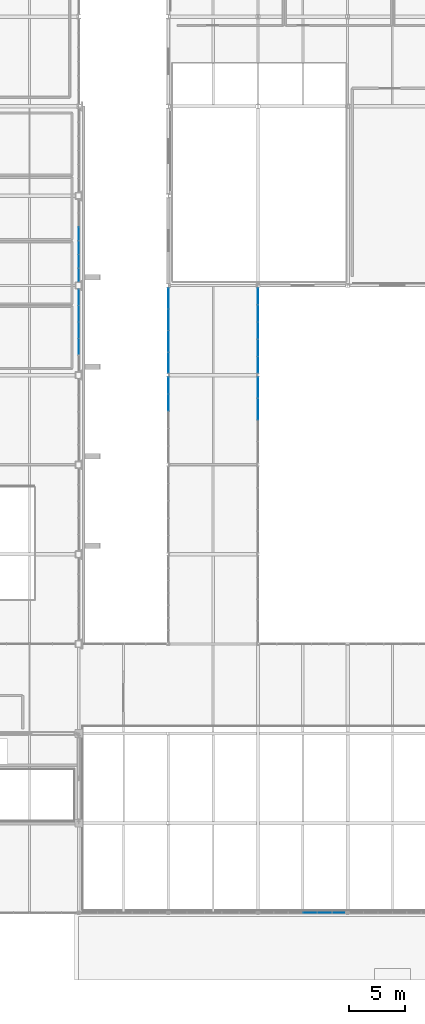
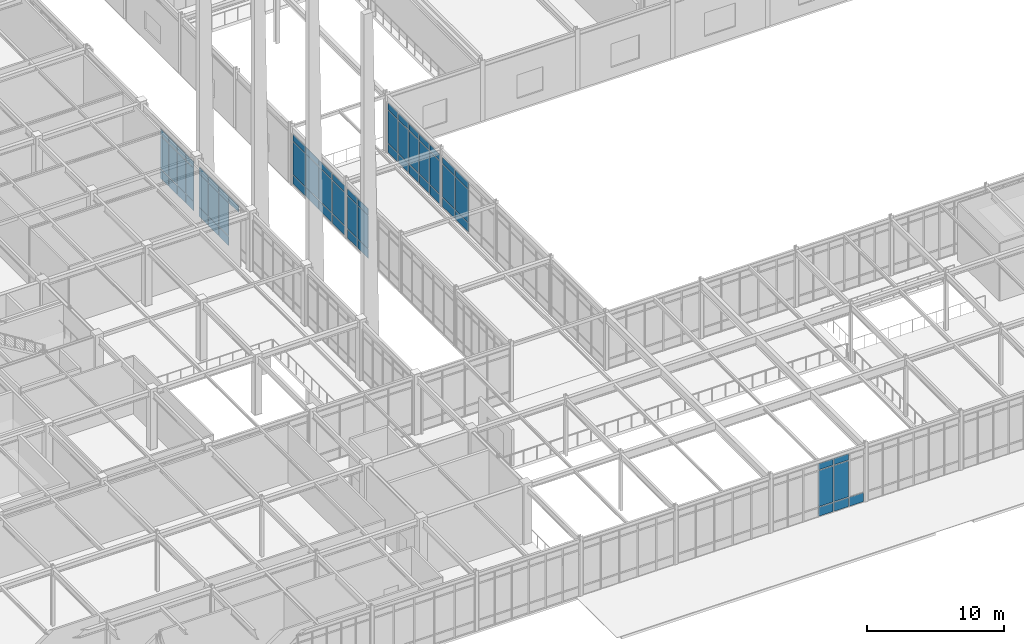
# One storey, part 89 of 184: 68 plates, 7 elements without a shape of their own.
"""IFC4 building model written with IfcOpenShell, lengths in metres."""

from ifc_helpers import new_model, si_unit, direction, frame, origin, origin_2d, place, context, subcontext, project, spatial, rectangle, extrude, material, layer, layer_set, type_object, element, aggregate, save


model = new_model("IFC4")

# Units and contexts
model_context = context("Model", 3, precision=1e-05, world=origin(), true_north=direction((0.0, 1.0)))
body_context = subcontext(model_context, "Body", "Model", "MODEL_VIEW")
ifc_project = project(units=[si_unit("LENGTHUNIT", "METRE"), si_unit("AREAUNIT", "SQUARE_METRE"), si_unit("VOLUMEUNIT", "CUBIC_METRE"), si_unit("PLANEANGLEUNIT", "RADIAN"), si_unit("MASSUNIT", "GRAM", prefix="KILO")], contexts=[model_context])

# Site, building, storey
site_placement = place(None, origin())
site = spatial("IfcSite", under=ifc_project, at=site_placement, CompositionType="ELEMENT")
building_placement = place(site_placement, origin())
building = spatial("IfcBuilding", under=site, at=building_placement, Name="Zhaolan Boulevard Law Courts", CompositionType="ELEMENT")
storey_placement = place(building_placement, frame((0.0, 0.0, 5.39990234375)))
storey = spatial("IfcBuildingStorey", under=building, at=storey_placement, Name="L01", CompositionType="ELEMENT", Elevation=5.39990234375)

# Curtain wall, plates
ifc_material_1 = material(Name="Thermally broken aluminium and low-E glazing", Category="aluminium")
curtain_wall_type_1 = type_object("IfcCurtainWallType", Name="CURTAIN WALL M11", PredefinedType="USERDEFINED", material=ifc_material_1)
curtain_wall_1_placement = place(storey_placement, origin())
curtain_wall_1 = element("IfcCurtainWall", 1, at=curtain_wall_1_placement, inside=storey, type_object=curtain_wall_type_1, Name="Curtain Wall CW-L01-035", ObjectType="CURTAIN WALL", PredefinedType="USERDEFINED")
ifc_material_2 = material(Name="Acoustic laminated low-E glazing", Category="glass")
ifc_layer = layer(ifc_material_2, 0.031982421875)
ifc_layer_set = layer_set([ifc_layer])
plate_type = type_object("IfcPlateType", Name="CWPANEL LOW E32", PredefinedType="CURTAIN_PANEL", material=ifc_layer_set)
plate_1_placement = place(storey_placement, frame((64.6455078125, 6.0, 0.06494140625), z_axis=(0.0, 0.0, 1.0), x_axis=(1.0, 0.0, 0.0)))
plate_1 = element("IfcPlate", 2, at=plate_1_placement, type_object=plate_type, Name="CW-L01-035 panel 4.1", PredefinedType="CURTAIN_PANEL", context=body_context, shape_type="SweptSolid", body=[
    extrude(rectangle(XDim=1.22607421875, YDim=0.031982421875, at=origin_2d()), origin(), (0.0, 0.0, 1.0), 0.802490234375),
])
plate_2_placement = place(storey_placement, frame((64.6455078125, 6.0, 0.9326171875), z_axis=(0.0, 0.0, 1.0), x_axis=(1.0, 0.0, 0.0)))
plate_2 = element("IfcPlate", 3, at=plate_2_placement, type_object=plate_type, Name="CW-L01-035 panel 4.2", PredefinedType="CURTAIN_PANEL", context=body_context, shape_type="SweptSolid", body=[
    extrude(rectangle(XDim=1.22607421875, YDim=0.031982421875, at=origin_2d()), origin(), (0.0, 0.0, 1.0), 3.2080078125),
])
plate_3_placement = place(storey_placement, frame((64.6455078125, 6.0, 4.20556640625), z_axis=(0.0, 0.0, 1.0), x_axis=(1.0, 0.0, 0.0)))
plate_3 = element("IfcPlate", 4, at=plate_3_placement, type_object=plate_type, Name="CW-L01-035 panel 4.3", PredefinedType="CURTAIN_PANEL", context=body_context, shape_type="SweptSolid", body=[
    extrude(rectangle(XDim=1.22607421875, YDim=0.031982421875, at=origin_2d()), origin(), (0.0, 0.0, 1.0), 0.552490234375),
])
plate_4_placement = place(storey_placement, frame((65.9365234375, 6.0, 0.06494140625), z_axis=(0.0, 0.0, 1.0), x_axis=(1.0, 0.0, 0.0)))
plate_4 = element("IfcPlate", 5, at=plate_4_placement, type_object=plate_type, Name="CW-L01-035 panel 5.1", PredefinedType="CURTAIN_PANEL", context=body_context, shape_type="SweptSolid", body=[
    extrude(rectangle(XDim=1.22607421875, YDim=0.031982421875, at=origin_2d()), origin(), (0.0, 0.0, 1.0), 0.802490234375),
])
plate_5_placement = place(storey_placement, frame((65.9365234375, 6.0, 0.9326171875), z_axis=(0.0, 0.0, 1.0), x_axis=(1.0, 0.0, 0.0)))
plate_5 = element("IfcPlate", 6, at=plate_5_placement, type_object=plate_type, Name="CW-L01-035 panel 5.2", PredefinedType="CURTAIN_PANEL", context=body_context, shape_type="SweptSolid", body=[
    extrude(rectangle(XDim=1.22607421875, YDim=0.031982421875, at=origin_2d()), origin(), (0.0, 0.0, 1.0), 3.2080078125),
])
plate_6_placement = place(storey_placement, frame((65.9365234375, 6.0, 4.20556640625), z_axis=(0.0, 0.0, 1.0), x_axis=(1.0, 0.0, 0.0)))
plate_6 = element("IfcPlate", 7, at=plate_6_placement, type_object=plate_type, Name="CW-L01-035 panel 5.3", PredefinedType="CURTAIN_PANEL", context=body_context, shape_type="SweptSolid", body=[
    extrude(rectangle(XDim=1.22607421875, YDim=0.031982421875, at=origin_2d()), origin(), (0.0, 0.0, 1.0), 0.552490234375),
])
plate_7_placement = place(storey_placement, frame((67.211181640625, 6.0, 0.06494140625), z_axis=(0.0, 0.0, 1.0), x_axis=(1.0, 0.0, 0.0)))
plate_7 = element("IfcPlate", 8, at=plate_7_placement, type_object=plate_type, Name="CW-L01-035 panel 6.1", PredefinedType="CURTAIN_PANEL", context=body_context, shape_type="SweptSolid", body=[
    extrude(rectangle(XDim=1.193603515625, YDim=0.031982421875, at=origin_2d()), origin(), (0.0, 0.0, 1.0), 0.802490234375),
])
aggregate(curtain_wall_1, [plate_1, plate_2, plate_3, plate_4, plate_5, plate_6, plate_7])

ifc_material_3 = material(Name="Thermally broken aluminium and low-E glazing", Category="aluminium")
curtain_wall_type_2 = type_object("IfcCurtainWallType", Name="CURTAIN WALL M20", PredefinedType="USERDEFINED", material=ifc_material_3)
curtain_wall_2_placement = place(storey_placement, origin())
curtain_wall_2 = element("IfcCurtainWall", 9, at=curtain_wall_2_placement, inside=storey, type_object=curtain_wall_type_2, Name="Curtain Wall CW-L01-068", ObjectType="CURTAIN WALL", PredefinedType="USERDEFINED")
plate_8_placement = place(storey_placement, frame((52.0, 53.08203125, 0.06494140625), z_axis=(0.0, 0.0, 1.0), x_axis=(0.0, -1.0, 0.0)))
plate_8 = element("IfcPlate", 10, at=plate_8_placement, type_object=plate_type, Name="CW-L01-068 panel 1.1", PredefinedType="CURTAIN_PANEL", context=body_context, shape_type="SweptSolid", body=[
    extrude(rectangle(XDim=1.45166015625, YDim=0.031982421875, at=origin_2d()), origin(), (0.0, 0.0, 1.0), 0.802490234375),
])
plate_9_placement = place(storey_placement, frame((52.0, 53.08203125, 0.9326171875), z_axis=(0.0, 0.0, 1.0), x_axis=(0.0, -1.0, 0.0)))
plate_9 = element("IfcPlate", 11, at=plate_9_placement, type_object=plate_type, Name="CW-L01-068 panel 1.2", PredefinedType="CURTAIN_PANEL", context=body_context, shape_type="SweptSolid", body=[
    extrude(rectangle(XDim=1.45166015625, YDim=0.031982421875, at=origin_2d()), origin(), (0.0, 0.0, 1.0), 2.91796875),
])
plate_10_placement = place(storey_placement, frame((52.0, 53.08203125, 3.91552734375), z_axis=(0.0, 0.0, 1.0), x_axis=(0.0, -1.0, 0.0)))
plate_10 = element("IfcPlate", 12, at=plate_10_placement, type_object=plate_type, Name="CW-L01-068 panel 1.3", PredefinedType="CURTAIN_PANEL", context=body_context, shape_type="SweptSolid", body=[
    extrude(rectangle(XDim=1.45166015625, YDim=0.031982421875, at=origin_2d()), origin(), (0.0, 0.0, 1.0), 0.552490234375),
])
plate_11_placement = place(storey_placement, frame((52.0, 51.54931640625, 0.06494140625), z_axis=(0.0, 0.0, 1.0), x_axis=(0.0, -1.0, 0.0)))
plate_11 = element("IfcPlate", 13, at=plate_11_placement, type_object=plate_type, Name="CW-L01-068 panel 2.1", PredefinedType="CURTAIN_PANEL", context=body_context, shape_type="SweptSolid", body=[
    extrude(rectangle(XDim=1.484130859375, YDim=0.031982421875, at=origin_2d()), origin(), (0.0, 0.0, 1.0), 0.802490234375),
])
plate_12_placement = place(storey_placement, frame((52.0, 51.54931640625, 0.9326171875), z_axis=(0.0, 0.0, 1.0), x_axis=(0.0, -1.0, 0.0)))
plate_12 = element("IfcPlate", 14, at=plate_12_placement, type_object=plate_type, Name="CW-L01-068 panel 2.2", PredefinedType="CURTAIN_PANEL", context=body_context, shape_type="SweptSolid", body=[
    extrude(rectangle(XDim=1.484130859375, YDim=0.031982421875, at=origin_2d()), origin(), (0.0, 0.0, 1.0), 2.91796875),
])
plate_13_placement = place(storey_placement, frame((52.0, 51.54931640625, 3.91552734375), z_axis=(0.0, 0.0, 1.0), x_axis=(0.0, -1.0, 0.0)))
plate_13 = element("IfcPlate", 15, at=plate_13_placement, type_object=plate_type, Name="CW-L01-068 panel 2.3", PredefinedType="CURTAIN_PANEL", context=body_context, shape_type="SweptSolid", body=[
    extrude(rectangle(XDim=1.484130859375, YDim=0.031982421875, at=origin_2d()), origin(), (0.0, 0.0, 1.0), 0.552490234375),
])
aggregate(curtain_wall_2, [plate_8, plate_9, plate_10, plate_11, plate_12, plate_13])

ifc_material_4 = material(Name="Thermally broken aluminium and low-E glazing", Category="aluminium")
curtain_wall_type_3 = type_object("IfcCurtainWallType", Name="CURTAIN WALL M21", PredefinedType="USERDEFINED", material=ifc_material_4)
curtain_wall_3_placement = place(storey_placement, origin())
curtain_wall_3 = element("IfcCurtainWall", 16, at=curtain_wall_3_placement, inside=storey, type_object=curtain_wall_type_3, Name="Curtain Wall CW-L01-069", ObjectType="CURTAIN WALL", PredefinedType="USERDEFINED")
plate_14_placement = place(storey_placement, frame((52.0, 60.8447265625, 0.06494140625), z_axis=(0.0, 0.0, 1.0), x_axis=(0.0, -1.0, 0.0)))
plate_14 = element("IfcPlate", 17, at=plate_14_placement, type_object=plate_type, Name="CW-L01-069 panel 1.1", PredefinedType="CURTAIN_PANEL", context=body_context, shape_type="SweptSolid", body=[
    extrude(rectangle(XDim=1.826416015625, YDim=0.031982421875, at=origin_2d()), origin(), (0.0, 0.0, 1.0), 0.802490234375),
])
plate_15_placement = place(storey_placement, frame((52.0, 60.8447265625, 0.9326171875), z_axis=(0.0, 0.0, 1.0), x_axis=(0.0, -1.0, 0.0)))
plate_15 = element("IfcPlate", 18, at=plate_15_placement, type_object=plate_type, Name="CW-L01-069 panel 1.2", PredefinedType="CURTAIN_PANEL", context=body_context, shape_type="SweptSolid", body=[
    extrude(rectangle(XDim=1.826416015625, YDim=0.031982421875, at=origin_2d()), origin(), (0.0, 0.0, 1.0), 2.91796875),
])
plate_16_placement = place(storey_placement, frame((52.0, 60.8447265625, 3.91552734375), z_axis=(0.0, 0.0, 1.0), x_axis=(0.0, -1.0, 0.0)))
plate_16 = element("IfcPlate", 19, at=plate_16_placement, type_object=plate_type, Name="CW-L01-069 panel 1.3", PredefinedType="CURTAIN_PANEL", context=body_context, shape_type="SweptSolid", body=[
    extrude(rectangle(XDim=1.826416015625, YDim=0.031982421875, at=origin_2d()), origin(), (0.0, 0.0, 1.0), 0.552490234375),
])
plate_17_placement = place(storey_placement, frame((52.0, 58.93701171875, 0.06494140625), z_axis=(0.0, 0.0, 1.0), x_axis=(0.0, -1.0, 0.0)))
plate_17 = element("IfcPlate", 20, at=plate_17_placement, type_object=plate_type, Name="CW-L01-069 panel 2.1", PredefinedType="CURTAIN_PANEL", context=body_context, shape_type="SweptSolid", body=[
    extrude(rectangle(XDim=1.85888671875, YDim=0.031982421875, at=origin_2d()), origin(), (0.0, 0.0, 1.0), 0.802490234375),
])
plate_18_placement = place(storey_placement, frame((52.0, 58.93701171875, 0.9326171875), z_axis=(0.0, 0.0, 1.0), x_axis=(0.0, -1.0, 0.0)))
plate_18 = element("IfcPlate", 21, at=plate_18_placement, type_object=plate_type, Name="CW-L01-069 panel 2.2", PredefinedType="CURTAIN_PANEL", context=body_context, shape_type="SweptSolid", body=[
    extrude(rectangle(XDim=1.85888671875, YDim=0.031982421875, at=origin_2d()), origin(), (0.0, 0.0, 1.0), 2.91796875),
])
plate_19_placement = place(storey_placement, frame((52.0, 58.93701171875, 3.91552734375), z_axis=(0.0, 0.0, 1.0), x_axis=(0.0, -1.0, 0.0)))
plate_19 = element("IfcPlate", 22, at=plate_19_placement, type_object=plate_type, Name="CW-L01-069 panel 2.3", PredefinedType="CURTAIN_PANEL", context=body_context, shape_type="SweptSolid", body=[
    extrude(rectangle(XDim=1.85888671875, YDim=0.031982421875, at=origin_2d()), origin(), (0.0, 0.0, 1.0), 0.552490234375),
])
plate_20_placement = place(storey_placement, frame((52.0, 57.012939453125, 0.06494140625), z_axis=(0.0, 0.0, 1.0), x_axis=(0.0, -1.0, 0.0)))
plate_20 = element("IfcPlate", 23, at=plate_20_placement, type_object=plate_type, Name="CW-L01-069 panel 3.1", PredefinedType="CURTAIN_PANEL", context=body_context, shape_type="SweptSolid", body=[
    extrude(rectangle(XDim=1.85888671875, YDim=0.031982421875, at=origin_2d()), origin(), (0.0, 0.0, 1.0), 0.802490234375),
])
plate_21_placement = place(storey_placement, frame((52.0, 57.012939453125, 0.9326171875), z_axis=(0.0, 0.0, 1.0), x_axis=(0.0, -1.0, 0.0)))
plate_21 = element("IfcPlate", 24, at=plate_21_placement, type_object=plate_type, Name="CW-L01-069 panel 3.2", PredefinedType="CURTAIN_PANEL", context=body_context, shape_type="SweptSolid", body=[
    extrude(rectangle(XDim=1.85888671875, YDim=0.031982421875, at=origin_2d()), origin(), (0.0, 0.0, 1.0), 2.91796875),
])
plate_22_placement = place(storey_placement, frame((52.0, 57.012939453125, 3.91552734375), z_axis=(0.0, 0.0, 1.0), x_axis=(0.0, -1.0, 0.0)))
plate_22 = element("IfcPlate", 25, at=plate_22_placement, type_object=plate_type, Name="CW-L01-069 panel 3.3", PredefinedType="CURTAIN_PANEL", context=body_context, shape_type="SweptSolid", body=[
    extrude(rectangle(XDim=1.85888671875, YDim=0.031982421875, at=origin_2d()), origin(), (0.0, 0.0, 1.0), 0.552490234375),
])
plate_23_placement = place(storey_placement, frame((52.0, 55.105224609375, 0.06494140625), z_axis=(0.0, 0.0, 1.0), x_axis=(0.0, -1.0, 0.0)))
plate_23 = element("IfcPlate", 26, at=plate_23_placement, type_object=plate_type, Name="CW-L01-069 panel 4.1", PredefinedType="CURTAIN_PANEL", context=body_context, shape_type="SweptSolid", body=[
    extrude(rectangle(XDim=1.826416015625, YDim=0.031982421875, at=origin_2d()), origin(), (0.0, 0.0, 1.0), 0.802490234375),
])
plate_24_placement = place(storey_placement, frame((52.0, 55.105224609375, 0.9326171875), z_axis=(0.0, 0.0, 1.0), x_axis=(0.0, -1.0, 0.0)))
plate_24 = element("IfcPlate", 27, at=plate_24_placement, type_object=plate_type, Name="CW-L01-069 panel 4.2", PredefinedType="CURTAIN_PANEL", context=body_context, shape_type="SweptSolid", body=[
    extrude(rectangle(XDim=1.826416015625, YDim=0.031982421875, at=origin_2d()), origin(), (0.0, 0.0, 1.0), 2.91796875),
])
plate_25_placement = place(storey_placement, frame((52.0, 55.105224609375, 3.91552734375), z_axis=(0.0, 0.0, 1.0), x_axis=(0.0, -1.0, 0.0)))
plate_25 = element("IfcPlate", 28, at=plate_25_placement, type_object=plate_type, Name="CW-L01-069 panel 4.3", PredefinedType="CURTAIN_PANEL", context=body_context, shape_type="SweptSolid", body=[
    extrude(rectangle(XDim=1.826416015625, YDim=0.031982421875, at=origin_2d()), origin(), (0.0, 0.0, 1.0), 0.552490234375),
])
aggregate(curtain_wall_3, [plate_14, plate_15, plate_16, plate_17, plate_18, plate_19, plate_20, plate_21, plate_22, plate_23, plate_24, plate_25])

ifc_material_5 = material(Name="Thermally broken aluminium and low-E glazing", Category="aluminium")
curtain_wall_type_4 = type_object("IfcCurtainWallType", Name="CURTAIN WALL M24", PredefinedType="USERDEFINED", material=ifc_material_5)
curtain_wall_4_placement = place(storey_placement, origin())
curtain_wall_4 = element("IfcCurtainWall", 29, at=curtain_wall_4_placement, inside=storey, type_object=curtain_wall_type_4, Name="Curtain Wall CW-L01-072", ObjectType="CURTAIN WALL", PredefinedType="USERDEFINED")
plate_26_placement = place(storey_placement, frame((60.0, 50.96826171875, 0.06494140625), z_axis=(0.0, 0.0, 1.0), x_axis=(0.0, 1.0, 0.0)))
plate_26 = element("IfcPlate", 30, at=plate_26_placement, type_object=plate_type, Name="CW-L01-072 panel 3.1", PredefinedType="CURTAIN_PANEL", context=body_context, shape_type="SweptSolid", body=[
    extrude(rectangle(XDim=1.87158203125, YDim=0.031982421875, at=origin_2d()), origin(), (0.0, 0.0, 1.0), 0.802490234375),
])
plate_27_placement = place(storey_placement, frame((60.0, 50.96826171875, 0.9326171875), z_axis=(0.0, 0.0, 1.0), x_axis=(0.0, 1.0, 0.0)))
plate_27 = element("IfcPlate", 31, at=plate_27_placement, type_object=plate_type, Name="CW-L01-072 panel 3.2", PredefinedType="CURTAIN_PANEL", context=body_context, shape_type="SweptSolid", body=[
    extrude(rectangle(XDim=1.87158203125, YDim=0.031982421875, at=origin_2d()), origin(), (0.0, 0.0, 1.0), 2.91796875),
])
plate_28_placement = place(storey_placement, frame((60.0, 50.96826171875, 3.91552734375), z_axis=(0.0, 0.0, 1.0), x_axis=(0.0, 1.0, 0.0)))
plate_28 = element("IfcPlate", 32, at=plate_28_placement, type_object=plate_type, Name="CW-L01-072 panel 3.3", PredefinedType="CURTAIN_PANEL", context=body_context, shape_type="SweptSolid", body=[
    extrude(rectangle(XDim=1.87158203125, YDim=0.031982421875, at=origin_2d()), origin(), (0.0, 0.0, 1.0), 0.552490234375),
])
plate_29_placement = place(storey_placement, frame((60.0, 52.888427734375, 0.06494140625), z_axis=(0.0, 0.0, 1.0), x_axis=(0.0, 1.0, 0.0)))
plate_29 = element("IfcPlate", 33, at=plate_29_placement, type_object=plate_type, Name="CW-L01-072 panel 4.1", PredefinedType="CURTAIN_PANEL", context=body_context, shape_type="SweptSolid", body=[
    extrude(rectangle(XDim=1.839111328125, YDim=0.031982421875, at=origin_2d()), origin(), (0.0, 0.0, 1.0), 0.802490234375),
])
plate_30_placement = place(storey_placement, frame((60.0, 52.888427734375, 0.9326171875), z_axis=(0.0, 0.0, 1.0), x_axis=(0.0, 1.0, 0.0)))
plate_30 = element("IfcPlate", 34, at=plate_30_placement, type_object=plate_type, Name="CW-L01-072 panel 4.2", PredefinedType="CURTAIN_PANEL", context=body_context, shape_type="SweptSolid", body=[
    extrude(rectangle(XDim=1.839111328125, YDim=0.031982421875, at=origin_2d()), origin(), (0.0, 0.0, 1.0), 2.91796875),
])
plate_31_placement = place(storey_placement, frame((60.0, 52.888427734375, 3.91552734375), z_axis=(0.0, 0.0, 1.0), x_axis=(0.0, 1.0, 0.0)))
plate_31 = element("IfcPlate", 35, at=plate_31_placement, type_object=plate_type, Name="CW-L01-072 panel 4.3", PredefinedType="CURTAIN_PANEL", context=body_context, shape_type="SweptSolid", body=[
    extrude(rectangle(XDim=1.839111328125, YDim=0.031982421875, at=origin_2d()), origin(), (0.0, 0.0, 1.0), 0.552490234375),
])
aggregate(curtain_wall_4, [plate_26, plate_27, plate_28, plate_29, plate_30, plate_31])

ifc_material_6 = material(Name="Thermally broken aluminium and low-E glazing", Category="aluminium")
curtain_wall_type_5 = type_object("IfcCurtainWallType", Name="CURTAIN WALL M1", PredefinedType="USERDEFINED", material=ifc_material_6)
curtain_wall_5_placement = place(storey_placement, origin())
curtain_wall_5 = element("IfcCurtainWall", 36, at=curtain_wall_5_placement, inside=storey, type_object=curtain_wall_type_5, Name="Curtain Wall CW-L01-073", ObjectType="CURTAIN WALL", PredefinedType="USERDEFINED")
plate_32_placement = place(storey_placement, frame((60.0, 54.912841796875, 0.06494140625), z_axis=(0.0, 0.0, 1.0), x_axis=(0.0, 1.0, 0.0)))
plate_32 = element("IfcPlate", 37, at=plate_32_placement, type_object=plate_type, Name="CW-L01-073 panel 1.1", PredefinedType="CURTAIN_PANEL", context=body_context, shape_type="SweptSolid", body=[
    extrude(rectangle(XDim=1.441650390625, YDim=0.031982421875, at=origin_2d()), origin(), (0.0, 0.0, 1.0), 0.802490234375),
])
plate_33_placement = place(storey_placement, frame((60.0, 54.912841796875, 0.9326171875), z_axis=(0.0, 0.0, 1.0), x_axis=(0.0, 1.0, 0.0)))
plate_33 = element("IfcPlate", 38, at=plate_33_placement, type_object=plate_type, Name="CW-L01-073 panel 1.2", PredefinedType="CURTAIN_PANEL", context=body_context, shape_type="SweptSolid", body=[
    extrude(rectangle(XDim=1.441650390625, YDim=0.031982421875, at=origin_2d()), origin(), (0.0, 0.0, 1.0), 2.91796875),
])
plate_34_placement = place(storey_placement, frame((60.0, 54.912841796875, 3.91552734375), z_axis=(0.0, 0.0, 1.0), x_axis=(0.0, 1.0, 0.0)))
plate_34 = element("IfcPlate", 39, at=plate_34_placement, type_object=plate_type, Name="CW-L01-073 panel 1.3", PredefinedType="CURTAIN_PANEL", context=body_context, shape_type="SweptSolid", body=[
    extrude(rectangle(XDim=1.441650390625, YDim=0.031982421875, at=origin_2d()), origin(), (0.0, 0.0, 1.0), 0.552490234375),
])
plate_35_placement = place(storey_placement, frame((60.0, 56.435791015625, 0.06494140625), z_axis=(0.0, 0.0, 1.0), x_axis=(0.0, 1.0, 0.0)))
plate_35 = element("IfcPlate", 40, at=plate_35_placement, type_object=plate_type, Name="CW-L01-073 panel 2.1", PredefinedType="CURTAIN_PANEL", context=body_context, shape_type="SweptSolid", body=[
    extrude(rectangle(XDim=1.47412109375, YDim=0.031982421875, at=origin_2d()), origin(), (0.0, 0.0, 1.0), 0.802490234375),
])
plate_36_placement = place(storey_placement, frame((60.0, 56.435791015625, 0.9326171875), z_axis=(0.0, 0.0, 1.0), x_axis=(0.0, 1.0, 0.0)))
plate_36 = element("IfcPlate", 41, at=plate_36_placement, type_object=plate_type, Name="CW-L01-073 panel 2.2", PredefinedType="CURTAIN_PANEL", context=body_context, shape_type="SweptSolid", body=[
    extrude(rectangle(XDim=1.47412109375, YDim=0.031982421875, at=origin_2d()), origin(), (0.0, 0.0, 1.0), 2.91796875),
])
plate_37_placement = place(storey_placement, frame((60.0, 56.435791015625, 3.91552734375), z_axis=(0.0, 0.0, 1.0), x_axis=(0.0, 1.0, 0.0)))
plate_37 = element("IfcPlate", 42, at=plate_37_placement, type_object=plate_type, Name="CW-L01-073 panel 2.3", PredefinedType="CURTAIN_PANEL", context=body_context, shape_type="SweptSolid", body=[
    extrude(rectangle(XDim=1.47412109375, YDim=0.031982421875, at=origin_2d()), origin(), (0.0, 0.0, 1.0), 0.552490234375),
])
plate_38_placement = place(storey_placement, frame((60.0, 57.97509765625, 0.06494140625), z_axis=(0.0, 0.0, 1.0), x_axis=(0.0, 1.0, 0.0)))
plate_38 = element("IfcPlate", 43, at=plate_38_placement, type_object=plate_type, Name="CW-L01-073 panel 3.1", PredefinedType="CURTAIN_PANEL", context=body_context, shape_type="SweptSolid", body=[
    extrude(rectangle(XDim=1.47412109375, YDim=0.031982421875, at=origin_2d()), origin(), (0.0, 0.0, 1.0), 0.802490234375),
])
plate_39_placement = place(storey_placement, frame((60.0, 57.97509765625, 0.9326171875), z_axis=(0.0, 0.0, 1.0), x_axis=(0.0, 1.0, 0.0)))
plate_39 = element("IfcPlate", 44, at=plate_39_placement, type_object=plate_type, Name="CW-L01-073 panel 3.2", PredefinedType="CURTAIN_PANEL", context=body_context, shape_type="SweptSolid", body=[
    extrude(rectangle(XDim=1.47412109375, YDim=0.031982421875, at=origin_2d()), origin(), (0.0, 0.0, 1.0), 2.91796875),
])
plate_40_placement = place(storey_placement, frame((60.0, 57.97509765625, 3.91552734375), z_axis=(0.0, 0.0, 1.0), x_axis=(0.0, 1.0, 0.0)))
plate_40 = element("IfcPlate", 45, at=plate_40_placement, type_object=plate_type, Name="CW-L01-073 panel 3.3", PredefinedType="CURTAIN_PANEL", context=body_context, shape_type="SweptSolid", body=[
    extrude(rectangle(XDim=1.47412109375, YDim=0.031982421875, at=origin_2d()), origin(), (0.0, 0.0, 1.0), 0.552490234375),
])
plate_41_placement = place(storey_placement, frame((60.0, 59.51416015625, 0.06494140625), z_axis=(0.0, 0.0, 1.0), x_axis=(0.0, 1.0, 0.0)))
plate_41 = element("IfcPlate", 46, at=plate_41_placement, type_object=plate_type, Name="CW-L01-073 panel 4.1", PredefinedType="CURTAIN_PANEL", context=body_context, shape_type="SweptSolid", body=[
    extrude(rectangle(XDim=1.47412109375, YDim=0.031982421875, at=origin_2d()), origin(), (0.0, 0.0, 1.0), 0.802490234375),
])
plate_42_placement = place(storey_placement, frame((60.0, 59.51416015625, 0.9326171875), z_axis=(0.0, 0.0, 1.0), x_axis=(0.0, 1.0, 0.0)))
plate_42 = element("IfcPlate", 47, at=plate_42_placement, type_object=plate_type, Name="CW-L01-073 panel 4.2", PredefinedType="CURTAIN_PANEL", context=body_context, shape_type="SweptSolid", body=[
    extrude(rectangle(XDim=1.47412109375, YDim=0.031982421875, at=origin_2d()), origin(), (0.0, 0.0, 1.0), 2.91796875),
])
plate_43_placement = place(storey_placement, frame((60.0, 59.51416015625, 3.91552734375), z_axis=(0.0, 0.0, 1.0), x_axis=(0.0, 1.0, 0.0)))
plate_43 = element("IfcPlate", 48, at=plate_43_placement, type_object=plate_type, Name="CW-L01-073 panel 4.3", PredefinedType="CURTAIN_PANEL", context=body_context, shape_type="SweptSolid", body=[
    extrude(rectangle(XDim=1.47412109375, YDim=0.031982421875, at=origin_2d()), origin(), (0.0, 0.0, 1.0), 0.552490234375),
])
plate_44_placement = place(storey_placement, frame((60.0, 61.037109375, 0.06494140625), z_axis=(0.0, 0.0, 1.0), x_axis=(0.0, 1.0, 0.0)))
plate_44 = element("IfcPlate", 49, at=plate_44_placement, type_object=plate_type, Name="CW-L01-073 panel 5.1", PredefinedType="CURTAIN_PANEL", context=body_context, shape_type="SweptSolid", body=[
    extrude(rectangle(XDim=1.441650390625, YDim=0.031982421875, at=origin_2d()), origin(), (0.0, 0.0, 1.0), 0.802490234375),
])
plate_45_placement = place(storey_placement, frame((60.0, 61.037109375, 0.9326171875), z_axis=(0.0, 0.0, 1.0), x_axis=(0.0, 1.0, 0.0)))
plate_45 = element("IfcPlate", 50, at=plate_45_placement, type_object=plate_type, Name="CW-L01-073 panel 5.2", PredefinedType="CURTAIN_PANEL", context=body_context, shape_type="SweptSolid", body=[
    extrude(rectangle(XDim=1.441650390625, YDim=0.031982421875, at=origin_2d()), origin(), (0.0, 0.0, 1.0), 2.91796875),
])
plate_46_placement = place(storey_placement, frame((60.0, 61.037109375, 3.91552734375), z_axis=(0.0, 0.0, 1.0), x_axis=(0.0, 1.0, 0.0)))
plate_46 = element("IfcPlate", 51, at=plate_46_placement, type_object=plate_type, Name="CW-L01-073 panel 5.3", PredefinedType="CURTAIN_PANEL", context=body_context, shape_type="SweptSolid", body=[
    extrude(rectangle(XDim=1.441650390625, YDim=0.031982421875, at=origin_2d()), origin(), (0.0, 0.0, 1.0), 0.552490234375),
])
aggregate(curtain_wall_5, [plate_32, plate_33, plate_34, plate_35, plate_36, plate_37, plate_38, plate_39, plate_40, plate_41, plate_42, plate_43, plate_44, plate_45, plate_46])

ifc_material_7 = material(Name="Thermally broken aluminium and low-E glazing", Category="aluminium")
curtain_wall_type_6 = type_object("IfcCurtainWallType", Name="CURTAIN WALL M4", PredefinedType="USERDEFINED", material=ifc_material_7)
curtain_wall_6_placement = place(storey_placement, origin())
curtain_wall_6 = element("IfcCurtainWall", 52, at=curtain_wall_6_placement, inside=storey, type_object=curtain_wall_type_6, Name="Curtain Wall CW-L01-148", ObjectType="CURTAIN WALL", PredefinedType="USERDEFINED")
plate_47_placement = place(storey_placement, frame((44.0, 56.520751953125, 3.90576171875), z_axis=(0.0, 0.0, 1.0), x_axis=(0.0, 1.0, 0.0)))
plate_47 = element("IfcPlate", 53, at=plate_47_placement, type_object=plate_type, Name="CW-L01-148 panel 2.3", PredefinedType="CURTAIN_PANEL", context=body_context, shape_type="SweptSolid", body=[
    extrude(rectangle(XDim=1.414306640625, YDim=0.031982421875, at=origin_2d()), origin(), (0.0, 0.0, 1.0), 0.552490234375),
])
plate_48_placement = place(storey_placement, frame((44.0, 58.0, 0.06494140625), z_axis=(0.0, 0.0, 1.0), x_axis=(0.0, 1.0, 0.0)))
plate_48 = element("IfcPlate", 54, at=plate_48_placement, type_object=plate_type, Name="CW-L01-148 panel 3.1", PredefinedType="CURTAIN_PANEL", context=body_context, shape_type="SweptSolid", body=[
    extrude(rectangle(XDim=1.414306640625, YDim=0.031982421875, at=origin_2d()), origin(), (0.0, 0.0, 1.0), 0.802490234375),
])
plate_49_placement = place(storey_placement, frame((44.0, 58.0, 0.9326171875), z_axis=(0.0, 0.0, 1.0), x_axis=(0.0, 1.0, 0.0)))
plate_49 = element("IfcPlate", 55, at=plate_49_placement, type_object=plate_type, Name="CW-L01-148 panel 3.2", PredefinedType="CURTAIN_PANEL", context=body_context, shape_type="SweptSolid", body=[
    extrude(rectangle(XDim=1.414306640625, YDim=0.031982421875, at=origin_2d()), origin(), (0.0, 0.0, 1.0), 2.907958984375),
])
plate_50_placement = place(storey_placement, frame((44.0, 58.0, 3.90576171875), z_axis=(0.0, 0.0, 1.0), x_axis=(0.0, 1.0, 0.0)))
plate_50 = element("IfcPlate", 56, at=plate_50_placement, type_object=plate_type, Name="CW-L01-148 panel 3.3", PredefinedType="CURTAIN_PANEL", context=body_context, shape_type="SweptSolid", body=[
    extrude(rectangle(XDim=1.414306640625, YDim=0.031982421875, at=origin_2d()), origin(), (0.0, 0.0, 1.0), 0.552490234375),
])
plate_51_placement = place(storey_placement, frame((44.0, 59.479248046875, 0.06494140625), z_axis=(0.0, 0.0, 1.0), x_axis=(0.0, 1.0, 0.0)))
plate_51 = element("IfcPlate", 57, at=plate_51_placement, type_object=plate_type, Name="CW-L01-148 panel 4.1", PredefinedType="CURTAIN_PANEL", context=body_context, shape_type="SweptSolid", body=[
    extrude(rectangle(XDim=1.414306640625, YDim=0.031982421875, at=origin_2d()), origin(), (0.0, 0.0, 1.0), 0.802490234375),
])
plate_52_placement = place(storey_placement, frame((44.0, 59.479248046875, 0.9326171875), z_axis=(0.0, 0.0, 1.0), x_axis=(0.0, 1.0, 0.0)))
plate_52 = element("IfcPlate", 58, at=plate_52_placement, type_object=plate_type, Name="CW-L01-148 panel 4.2", PredefinedType="CURTAIN_PANEL", context=body_context, shape_type="SweptSolid", body=[
    extrude(rectangle(XDim=1.414306640625, YDim=0.031982421875, at=origin_2d()), origin(), (0.0, 0.0, 1.0), 2.907958984375),
])
plate_53_placement = place(storey_placement, frame((44.0, 59.479248046875, 3.90576171875), z_axis=(0.0, 0.0, 1.0), x_axis=(0.0, 1.0, 0.0)))
plate_53 = element("IfcPlate", 59, at=plate_53_placement, type_object=plate_type, Name="CW-L01-148 panel 4.3", PredefinedType="CURTAIN_PANEL", context=body_context, shape_type="SweptSolid", body=[
    extrude(rectangle(XDim=1.414306640625, YDim=0.031982421875, at=origin_2d()), origin(), (0.0, 0.0, 1.0), 0.552490234375),
])
plate_54_placement = place(storey_placement, frame((44.0, 60.942138671875, 0.06494140625), z_axis=(0.0, 0.0, 1.0), x_axis=(0.0, 1.0, 0.0)))
plate_54 = element("IfcPlate", 60, at=plate_54_placement, type_object=plate_type, Name="CW-L01-148 panel 5.1", PredefinedType="CURTAIN_PANEL", context=body_context, shape_type="SweptSolid", body=[
    extrude(rectangle(XDim=1.381591796875, YDim=0.031982421875, at=origin_2d()), origin(), (0.0, 0.0, 1.0), 0.802490234375),
])
plate_55_placement = place(storey_placement, frame((44.0, 60.942138671875, 0.9326171875), z_axis=(0.0, 0.0, 1.0), x_axis=(0.0, 1.0, 0.0)))
plate_55 = element("IfcPlate", 61, at=plate_55_placement, type_object=plate_type, Name="CW-L01-148 panel 5.2", PredefinedType="CURTAIN_PANEL", context=body_context, shape_type="SweptSolid", body=[
    extrude(rectangle(XDim=1.381591796875, YDim=0.031982421875, at=origin_2d()), origin(), (0.0, 0.0, 1.0), 2.907958984375),
])
plate_56_placement = place(storey_placement, frame((44.0, 60.942138671875, 3.90576171875), z_axis=(0.0, 0.0, 1.0), x_axis=(0.0, 1.0, 0.0)))
plate_56 = element("IfcPlate", 62, at=plate_56_placement, type_object=plate_type, Name="CW-L01-148 panel 5.3", PredefinedType="CURTAIN_PANEL", context=body_context, shape_type="SweptSolid", body=[
    extrude(rectangle(XDim=1.381591796875, YDim=0.031982421875, at=origin_2d()), origin(), (0.0, 0.0, 1.0), 0.552490234375),
])
aggregate(curtain_wall_6, [plate_47, plate_48, plate_49, plate_50, plate_51, plate_52, plate_53, plate_54, plate_55, plate_56])

ifc_material_8 = material(Name="Thermally broken aluminium and low-E glazing", Category="aluminium")
curtain_wall_type_7 = type_object("IfcCurtainWallType", Name="CURTAIN WALL M5", PredefinedType="USERDEFINED", material=ifc_material_8)
curtain_wall_7_placement = place(storey_placement, origin())
curtain_wall_7 = element("IfcCurtainWall", 63, at=curtain_wall_7_placement, inside=storey, type_object=curtain_wall_type_7, Name="Curtain Wall CW-L01-149", ObjectType="CURTAIN WALL", PredefinedType="USERDEFINED")
plate_57_placement = place(storey_placement, frame((44.0, 62.9345703125, 0.06494140625), z_axis=(0.0, 0.0, 1.0), x_axis=(0.0, 1.0, 0.0)))
plate_57 = element("IfcPlate", 64, at=plate_57_placement, type_object=plate_type, Name="CW-L01-149 panel 1.1", PredefinedType="CURTAIN_PANEL", context=body_context, shape_type="SweptSolid", body=[
    extrude(rectangle(XDim=1.13525390625, YDim=0.031982421875, at=origin_2d()), origin(), (0.0, 0.0, 1.0), 0.802490234375),
])
plate_58_placement = place(storey_placement, frame((44.0, 62.9345703125, 0.9326171875), z_axis=(0.0, 0.0, 1.0), x_axis=(0.0, 1.0, 0.0)))
plate_58 = element("IfcPlate", 65, at=plate_58_placement, type_object=plate_type, Name="CW-L01-149 panel 1.2", PredefinedType="CURTAIN_PANEL", context=body_context, shape_type="SweptSolid", body=[
    extrude(rectangle(XDim=1.13525390625, YDim=0.031982421875, at=origin_2d()), origin(), (0.0, 0.0, 1.0), 2.907958984375),
])
plate_59_placement = place(storey_placement, frame((44.0, 62.9345703125, 3.90576171875), z_axis=(0.0, 0.0, 1.0), x_axis=(0.0, 1.0, 0.0)))
plate_59 = element("IfcPlate", 66, at=plate_59_placement, type_object=plate_type, Name="CW-L01-149 panel 1.3", PredefinedType="CURTAIN_PANEL", context=body_context, shape_type="SweptSolid", body=[
    extrude(rectangle(XDim=1.13525390625, YDim=0.031982421875, at=origin_2d()), origin(), (0.0, 0.0, 1.0), 0.552490234375),
])
plate_60_placement = place(storey_placement, frame((44.0, 64.15087890625, 0.06494140625), z_axis=(0.0, 0.0, 1.0), x_axis=(0.0, 1.0, 0.0)))
plate_60 = element("IfcPlate", 67, at=plate_60_placement, type_object=plate_type, Name="CW-L01-149 panel 2.1", PredefinedType="CURTAIN_PANEL", context=body_context, shape_type="SweptSolid", body=[
    extrude(rectangle(XDim=1.167724609375, YDim=0.031982421875, at=origin_2d()), origin(), (0.0, 0.0, 1.0), 0.802490234375),
])
plate_61_placement = place(storey_placement, frame((44.0, 64.15087890625, 0.9326171875), z_axis=(0.0, 0.0, 1.0), x_axis=(0.0, 1.0, 0.0)))
plate_61 = element("IfcPlate", 68, at=plate_61_placement, type_object=plate_type, Name="CW-L01-149 panel 2.2", PredefinedType="CURTAIN_PANEL", context=body_context, shape_type="SweptSolid", body=[
    extrude(rectangle(XDim=1.167724609375, YDim=0.031982421875, at=origin_2d()), origin(), (0.0, 0.0, 1.0), 2.907958984375),
])
plate_62_placement = place(storey_placement, frame((44.0, 64.15087890625, 3.90576171875), z_axis=(0.0, 0.0, 1.0), x_axis=(0.0, 1.0, 0.0)))
plate_62 = element("IfcPlate", 69, at=plate_62_placement, type_object=plate_type, Name="CW-L01-149 panel 2.3", PredefinedType="CURTAIN_PANEL", context=body_context, shape_type="SweptSolid", body=[
    extrude(rectangle(XDim=1.167724609375, YDim=0.031982421875, at=origin_2d()), origin(), (0.0, 0.0, 1.0), 0.552490234375),
])
plate_63_placement = place(storey_placement, frame((44.0, 65.383544921875, 0.06494140625), z_axis=(0.0, 0.0, 1.0), x_axis=(0.0, 1.0, 0.0)))
plate_63 = element("IfcPlate", 70, at=plate_63_placement, type_object=plate_type, Name="CW-L01-149 panel 3.1", PredefinedType="CURTAIN_PANEL", context=body_context, shape_type="SweptSolid", body=[
    extrude(rectangle(XDim=1.167724609375, YDim=0.031982421875, at=origin_2d()), origin(), (0.0, 0.0, 1.0), 0.802490234375),
])
plate_64_placement = place(storey_placement, frame((44.0, 65.383544921875, 0.9326171875), z_axis=(0.0, 0.0, 1.0), x_axis=(0.0, 1.0, 0.0)))
plate_64 = element("IfcPlate", 71, at=plate_64_placement, type_object=plate_type, Name="CW-L01-149 panel 3.2", PredefinedType="CURTAIN_PANEL", context=body_context, shape_type="SweptSolid", body=[
    extrude(rectangle(XDim=1.167724609375, YDim=0.031982421875, at=origin_2d()), origin(), (0.0, 0.0, 1.0), 2.907958984375),
])
plate_65_placement = place(storey_placement, frame((44.0, 65.383544921875, 3.90576171875), z_axis=(0.0, 0.0, 1.0), x_axis=(0.0, 1.0, 0.0)))
plate_65 = element("IfcPlate", 72, at=plate_65_placement, type_object=plate_type, Name="CW-L01-149 panel 3.3", PredefinedType="CURTAIN_PANEL", context=body_context, shape_type="SweptSolid", body=[
    extrude(rectangle(XDim=1.167724609375, YDim=0.031982421875, at=origin_2d()), origin(), (0.0, 0.0, 1.0), 0.552490234375),
])
plate_66_placement = place(storey_placement, frame((44.0, 66.616455078125, 0.06494140625), z_axis=(0.0, 0.0, 1.0), x_axis=(0.0, 1.0, 0.0)))
plate_66 = element("IfcPlate", 73, at=plate_66_placement, type_object=plate_type, Name="CW-L01-149 panel 4.1", PredefinedType="CURTAIN_PANEL", context=body_context, shape_type="SweptSolid", body=[
    extrude(rectangle(XDim=1.167724609375, YDim=0.031982421875, at=origin_2d()), origin(), (0.0, 0.0, 1.0), 0.802490234375),
])
plate_67_placement = place(storey_placement, frame((44.0, 66.616455078125, 0.9326171875), z_axis=(0.0, 0.0, 1.0), x_axis=(0.0, 1.0, 0.0)))
plate_67 = element("IfcPlate", 74, at=plate_67_placement, type_object=plate_type, Name="CW-L01-149 panel 4.2", PredefinedType="CURTAIN_PANEL", context=body_context, shape_type="SweptSolid", body=[
    extrude(rectangle(XDim=1.167724609375, YDim=0.031982421875, at=origin_2d()), origin(), (0.0, 0.0, 1.0), 2.907958984375),
])
plate_68_placement = place(storey_placement, frame((44.0, 66.616455078125, 3.90576171875), z_axis=(0.0, 0.0, 1.0), x_axis=(0.0, 1.0, 0.0)))
plate_68 = element("IfcPlate", 75, at=plate_68_placement, type_object=plate_type, Name="CW-L01-149 panel 4.3", PredefinedType="CURTAIN_PANEL", context=body_context, shape_type="SweptSolid", body=[
    extrude(rectangle(XDim=1.167724609375, YDim=0.031982421875, at=origin_2d()), origin(), (0.0, 0.0, 1.0), 0.552490234375),
])
aggregate(curtain_wall_7, [plate_57, plate_58, plate_59, plate_60, plate_61, plate_62, plate_63, plate_64, plate_65, plate_66, plate_67, plate_68])

save(model, "model.ifc")
